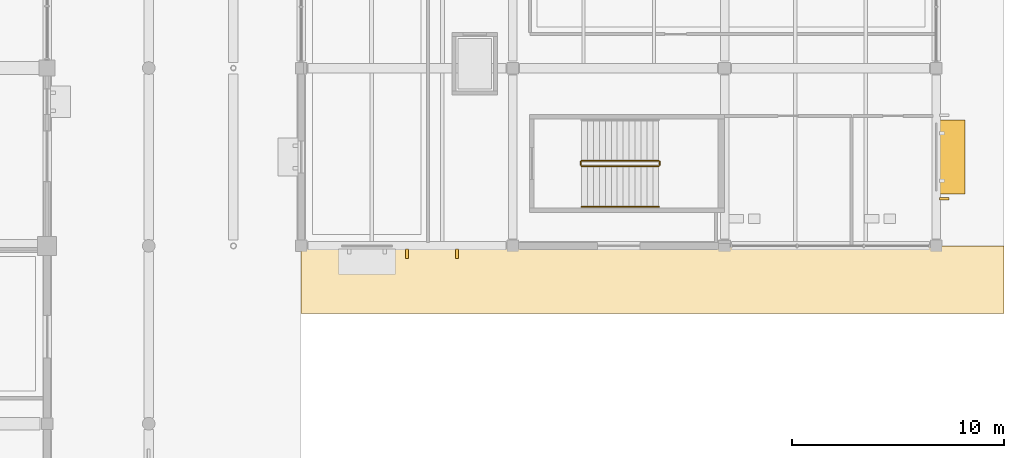
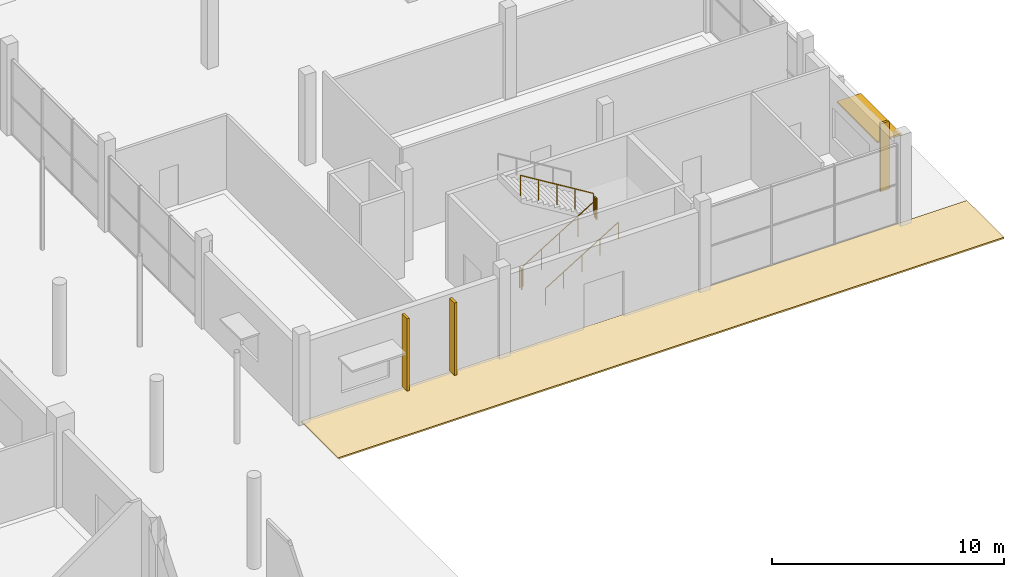
# One storey, part 125 of 130: 5 railings, 4 shading devices, 1 covering.
"""IFC4 building model written with IfcOpenShell, lengths in metres."""

from ifc_helpers import new_model, si_unit, direction, frame, origin, origin_2d, place, context, subcontext, project, spatial, polyline, rectangle, circle, outline, extrude, material, layer, layer_set, type_object, element, save


model = new_model("IFC4")

# Units and contexts
model_context = context("Model", 3, precision=1e-05, world=origin(), true_north=direction((0.0, 1.0)))
body_context = subcontext(model_context, "Body", "Model", "MODEL_VIEW")
ifc_project = project(units=[si_unit("LENGTHUNIT", "METRE"), si_unit("AREAUNIT", "SQUARE_METRE"), si_unit("VOLUMEUNIT", "CUBIC_METRE"), si_unit("PLANEANGLEUNIT", "RADIAN"), si_unit("MASSUNIT", "GRAM", prefix="KILO"), si_unit("THERMODYNAMICTEMPERATUREUNIT", "KELVIN")], contexts=[model_context])

# Site, building, storey
site_placement = place(None, origin())
site = spatial("IfcSite", under=ifc_project, at=site_placement, CompositionType="ELEMENT")
building_placement = place(site_placement, origin())
building = spatial("IfcBuilding", under=site, at=building_placement, Name="Nduvali Passage Aquatics Centre", CompositionType="ELEMENT")
storey_placement = place(building_placement, origin())
storey = spatial("IfcBuildingStorey", under=building, at=storey_placement, Name="L00", CompositionType="ELEMENT", Elevation=0.0)

# Shading devices
ifc_material_1 = material(Name="Glulam GL28h", Category="wood")
shading_device_type_1 = type_object("IfcShadingDeviceType", Name="ENV-SHD-FIN1", PredefinedType="USERDEFINED", material=ifc_material_1)
for number, where, z_axis, x_axis, name in (
    (1, (143.0, 24.824951171875, 0.199951171875), (0.0, 0.0, 1.0), (1.0, 0.0, 0.0), "L00 Vertical Glulam Facade Fin 0126"),
    (2, (145.362548828125, 24.824951171875, 0.199951171875), (0.0, 0.0, 1.0), (1.0, 0.0, 0.0), "L00 Vertical Glulam Facade Fin 0127"),
):
    element("IfcShadingDevice", number, at=place(storey_placement, frame(where, z_axis=z_axis, x_axis=x_axis)), inside=storey, type_object=shading_device_type_1, Name=name, ObjectType="VERTICAL FIN", PredefinedType="USERDEFINED", context=body_context, shape_type="SweptSolid", body=[
        extrude(rectangle(XDim=0.1201171875, YDim=0.43994140625, at=origin_2d()), origin(), (0.0, 0.0, 1.0), 3.81591796875),
    ])
shading_device_1_placement = place(storey_placement, frame((168.375, 27.4375, 0.2001953125), z_axis=(0.0, 0.0, 1.0), x_axis=(0.0, 1.0, 0.0)))
element("IfcShadingDevice", 3, at=shading_device_1_placement, inside=storey, type_object=shading_device_type_1, Name="L00 Vertical Glulam Facade Fin 0130", ObjectType="VERTICAL FIN", PredefinedType="USERDEFINED", context=body_context, shape_type="SweptSolid", body=[
    extrude(rectangle(XDim=0.1201171875, YDim=0.43994140625, at=origin_2d()), origin(), (0.0, 0.0, 1.0), 3.576416015625),
])
ifc_material_2 = material(Name="Aluminium EN AW-6063 T6", Category="aluminium")
ifc_layer_1 = layer(ifc_material_2, 0.090087890625, Name="Aluminium EN AW-6063 T6")
ifc_layer_set_1 = layer_set([ifc_layer_1], Name="Aluminium EN AW-6063 T6")
shading_device_type_2 = type_object("IfcShadingDeviceType", Name="ENV-SHD-SUN1", PredefinedType="AWNING", material=ifc_layer_set_1)
shading_device_2_placement = place(storey_placement, frame((168.75, 29.39990234375, 2.60498046875), z_axis=(0.0, 0.0, 1.0), x_axis=(0.0, 1.0, 0.0)))
element("IfcShadingDevice", 4, at=shading_device_2_placement, inside=storey, type_object=shading_device_type_2, Name="L00 Horizontal Monsoon Sunshade 0129", PredefinedType="AWNING", context=body_context, shape_type="SweptSolid", body=[
    extrude(rectangle(XDim=3.5, YDim=1.199951171875, at=origin_2d()), origin(), (0.0, 0.0, 1.0), 0.090087890625),
])

# Railings
ifc_material_3 = material(Name="Stainless steel balustrade", Category="steel")
railing_type_1 = type_object("IfcRailingType", Name="INT-RLG-GRD110", PredefinedType="GUARDRAIL", material=ifc_material_3)
railing_1_placement = place(storey_placement, frame((151.25, 28.969970703125, 0.17138671875)))
element("IfcRailing", 5, at=railing_1_placement, inside=storey, type_object=railing_type_1, Name="L00 ST7 stair guard 1", PredefinedType="GUARDRAIL", context=body_context, shape_type="SweptSolid", body=[
    extrude(circle(Radius=0.02392578125, at=origin_2d()), frame((0.0, 0.0, 1.076171875), z_axis=(0.852850264322, 0.0, 0.5221555579), x_axis=(0.0, 1.0, 0.0)), (0.0, 0.0, 1.0), 4.267822265625),
    extrude(circle(Radius=0.02099609375, at=origin_2d()), origin(), (0.0, 0.0, 1.0), 1.052001953125),
    extrude(circle(Radius=0.02099609375, at=origin_2d()), frame((0.909912109375, 0.0, 0.55712890625)), (0.0, 0.0, 1.0), 1.052001953125),
    extrude(circle(Radius=0.02099609375, at=origin_2d()), frame((1.81982421875, 0.0, 1.1142578125)), (0.0, 0.0, 1.0), 1.052001953125),
    extrude(circle(Radius=0.02099609375, at=origin_2d()), frame((2.72998046875, 0.0, 1.67138671875)), (0.0, 0.0, 1.0), 1.052001953125),
    extrude(circle(Radius=0.02099609375, at=origin_2d()), frame((3.639892578125, 0.0, 2.228515625)), (0.0, 0.0, 1.0), 1.052001953125),
])
railing_2_placement = place(storey_placement, frame((154.93994140625, 29.02001953125, 2.39990234375)))
element("IfcRailing", 6, at=railing_2_placement, inside=storey, type_object=railing_type_1, Name="L00 ST7 stair guard 2", PredefinedType="GUARDRAIL", context=body_context, shape_type="SweptSolid", body=[
    extrude(circle(Radius=0.02392578125, at=origin_2d()), frame((0.0, 0.0, 1.076171875), z_axis=(0.0, 1.0, 0.0), x_axis=(-1.0, 0.0, 0.0)), (0.0, 0.0, 1.0), 0.14990234375),
    extrude(circle(Radius=0.02099609375, at=origin_2d()), origin(), (0.0, 0.0, 1.0), 1.052001953125),
    extrude(circle(Radius=0.02099609375, at=origin_2d()), frame((0.0, 0.14990234375, 0.0)), (0.0, 0.0, 1.0), 1.052001953125),
])
railing_3_placement = place(storey_placement, frame((154.889892578125, 29.219970703125, 2.571533203125)))
element("IfcRailing", 7, at=railing_3_placement, inside=storey, type_object=railing_type_1, Name="L00 ST7 stair guard 3", PredefinedType="GUARDRAIL", context=body_context, shape_type="SweptSolid", body=[
    extrude(circle(Radius=0.02392578125, at=origin_2d()), frame((0.0, 0.0, 1.076171875), z_axis=(-0.852850264322, 0.0, 0.5221555579), x_axis=(0.0, -1.0, 0.0)), (0.0, 0.0, 1.0), 4.267822265625),
    extrude(circle(Radius=0.02099609375, at=origin_2d()), origin(), (0.0, 0.0, 1.0), 1.052001953125),
    extrude(circle(Radius=0.02099609375, at=origin_2d()), frame((-0.909912109375, 0.0, 0.55712890625)), (0.0, 0.0, 1.0), 1.052001953125),
    extrude(circle(Radius=0.02099609375, at=origin_2d()), frame((-1.81982421875, 0.0, 1.1142578125)), (0.0, 0.0, 1.0), 1.052001953125),
    extrude(circle(Radius=0.02099609375, at=origin_2d()), frame((-2.72998046875, 0.0, 1.67138671875)), (0.0, 0.0, 1.0), 1.052001953125),
    extrude(circle(Radius=0.02099609375, at=origin_2d()), frame((-3.639892578125, 0.0, 2.228515625)), (0.0, 0.0, 1.0), 1.052001953125),
])
railing_4_placement = place(storey_placement, frame((151.199951171875, 29.02001953125, 0.0)))
element("IfcRailing", 8, at=railing_4_placement, inside=storey, type_object=railing_type_1, Name="L00 ST7 stair guard 4", PredefinedType="GUARDRAIL", context=body_context, shape_type="SweptSolid", body=[
    extrude(circle(Radius=0.02392578125, at=origin_2d()), frame((0.0, 0.0, 1.076171875), z_axis=(0.0, 1.0, 0.0), x_axis=(-1.0, 0.0, 0.0)), (0.0, 0.0, 1.0), 0.14990234375),
    extrude(circle(Radius=0.02099609375, at=origin_2d()), origin(), (0.0, 0.0, 1.0), 1.052001953125),
    extrude(circle(Radius=0.02099609375, at=origin_2d()), frame((0.0, 0.14990234375, 0.0)), (0.0, 0.0, 1.0), 1.052001953125),
])
railing_type_2 = type_object("IfcRailingType", Name="INT-RLG-HND90", PredefinedType="HANDRAIL", material=ifc_material_3)
railing_5_placement = place(storey_placement, frame((151.25, 27.050048828125, 0.346435546875)))
element("IfcRailing", 9, at=railing_5_placement, inside=storey, type_object=railing_type_2, Name="L00 ST7 stair handrail 1", PredefinedType="HANDRAIL", context=body_context, shape_type="SweptSolid", body=[
    extrude(circle(Radius=0.02392578125, at=origin_2d()), frame((0.0, 0.0, 0.8759765625), z_axis=(0.852850264322, 0.0, 0.5221555579), x_axis=(0.0, 1.0, 0.0)), (0.0, 0.0, 1.0), 4.267822265625),
    extrude(circle(Radius=0.02099609375, at=origin_2d()), origin(), (0.0, 0.0, 1.0), 0.851806640625),
    extrude(circle(Radius=0.02099609375, at=origin_2d()), frame((0.909912109375, 0.0, 0.55712890625)), (0.0, 0.0, 1.0), 0.851806640625),
    extrude(circle(Radius=0.02099609375, at=origin_2d()), frame((1.81982421875, 0.0, 1.1142578125)), (0.0, 0.0, 1.0), 0.851806640625),
    extrude(circle(Radius=0.02099609375, at=origin_2d()), frame((2.72998046875, 0.0, 1.67138671875)), (0.0, 0.0, 1.0), 0.851806640625),
    extrude(circle(Radius=0.02099609375, at=origin_2d()), frame((3.639892578125, 0.0, 2.228515625)), (0.0, 0.0, 1.0), 0.851806640625),
])

# Covering
ifc_material_4 = material(Name="Coral-stone masonry blockwork", Category="masonry")
ifc_layer_2 = layer(ifc_material_4, 0.080078125, Name="Coral-stone masonry blockwork")
ifc_layer_set_2 = layer_set([ifc_layer_2], Name="Coral-stone masonry blockwork")
covering_type = type_object("IfcCoveringType", Name="STR-COV-PAV80", PredefinedType="USERDEFINED", material=ifc_layer_set_2)
covering_placement = place(storey_placement, frame((0.0, 0.0, -0.080078125)))
element("IfcCovering", 10, at=covering_placement, inside=storey, type_object=covering_type, Name="L00 East Pavilion South Exit Paving", ObjectType="PAVING", PredefinedType="USERDEFINED", context=body_context, shape_type="SweptSolid", body=[
    extrude(outline(polyline([(138.0, 22.0), (171.199951171875, 22.0), (171.199951171875, 25.199951171875), (138.0, 25.199951171875), (138.0, 22.0)])), origin(), (0.0, 0.0, 1.0), 0.080078125),
])

save(model, "model.ifc")
